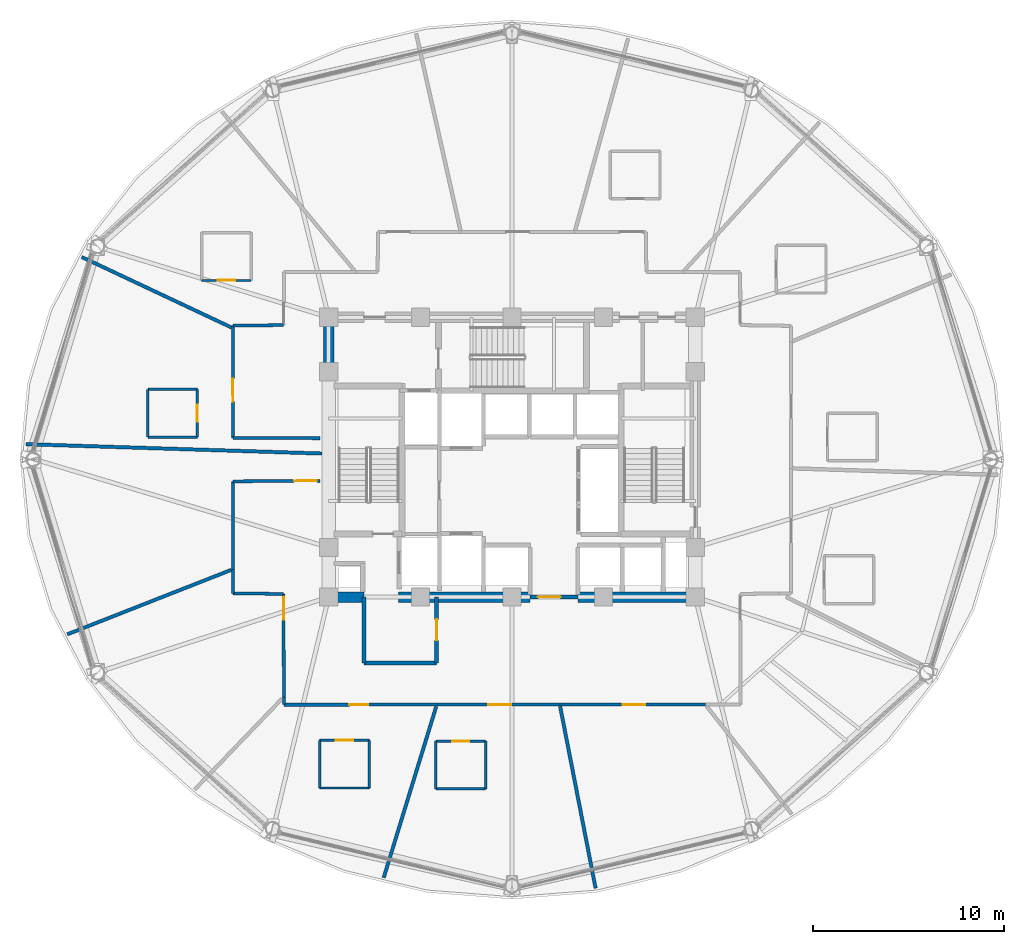
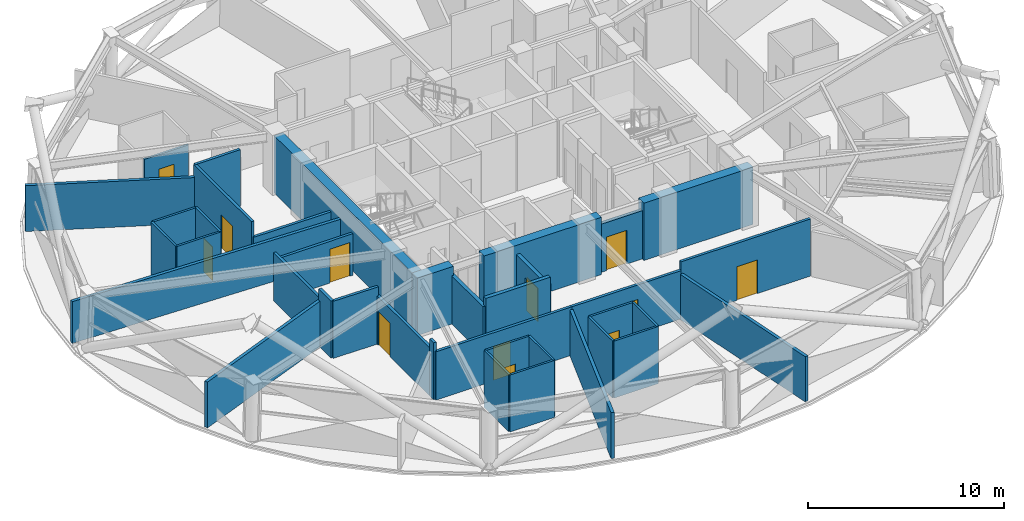
# One storey, part 8 of 15: 38 walls, 12 doors, 12 openings.
"""IFC4 building model written with IfcOpenShell, lengths in metres."""

from ifc_helpers import new_model, si_unit, direction, frame, frame_2d, origin, place, context, subcontext, project, spatial, rectangle, extrude, material, layer, layer_set, type_object, element, fill, save


model = new_model("IFC4")

# Units and contexts
model_context = context("Model", 3, precision=1e-05, world=origin(), true_north=direction((0.0, 1.0)))
body_context = subcontext(model_context, "Body", "Model", "MODEL_VIEW")
ifc_project = project(units=[si_unit("LENGTHUNIT", "METRE"), si_unit("AREAUNIT", "SQUARE_METRE"), si_unit("VOLUMEUNIT", "CUBIC_METRE"), si_unit("PLANEANGLEUNIT", "RADIAN"), si_unit("MASSUNIT", "GRAM", prefix="KILO")], contexts=[model_context])

# Site, building, storey
site_placement = place(None, origin())
site = spatial("IfcSite", under=ifc_project, at=site_placement, CompositionType="ELEMENT")
building_placement = place(site_placement, origin())
building = spatial("IfcBuilding", under=site, at=building_placement, Name="Vantalir Tower", CompositionType="ELEMENT")
storey_placement = place(building_placement, frame((0.0, 0.0, 134.699951171875)))
storey = spatial("IfcBuildingStorey", under=building, at=storey_placement, Name="L33", CompositionType="ELEMENT", Elevation=134.699951171875)

# Wall, opening, door
ifc_material_1 = material(Name="Moisture-resistant en-suite partition", Category="gypsum")
ifc_layer_1 = layer(ifc_material_1, 0.125)
ifc_layer_set_1 = layer_set([ifc_layer_1], Name="Moisture-resistant en-suite partition")
wall_type_1 = type_object("IfcWallType", Name="WL-BATH-125", PredefinedType="PARTITIONING", material=ifc_layer_set_1)
wall_1_placement = place(storey_placement, frame((15.242919921875, 34.37890625, 0.0), z_axis=(0.0, 0.0, 1.0), x_axis=(1.0, 0.0, 0.0)))
wall_1 = element("IfcWall", 1, at=wall_1_placement, inside=storey, type_object=wall_type_1, Name="L33 En-suite 05 South Wall", PredefinedType="PARTITIONING", context=body_context, shape_type="SweptSolid", body=[
    extrude(rectangle(XDim=2.60009765625, YDim=0.125, at=frame_2d((1.300048828125, 0.0))), origin(), (0.0, 0.0, 1.0), 3.006103515625),
])
opening_1_placement = place(wall_1_placement, frame((0.85009765625, 0.0, 0.0)))
opening_1 = element("IfcOpeningElement", 2, at=opening_1_placement, cuts=wall_1, Name="Opening D-WC", PredefinedType="OPENING", context=body_context, shape_type="SweptSolid", body=[
    extrude(rectangle(XDim=0.89990234375, YDim=2.10009765625, at=frame_2d((0.449951171875, 1.050048828125))), frame((0.0, 0.072509765625, 0.0), z_axis=(0.0, -1.0, 0.0), x_axis=(1.0, 0.0, 0.0)), (0.0, 0.0, 1.0), 0.14501953125),
])
ifc_material_2 = material(Name="Moisture-resistant hardwood door", Category="wood")
door_type_1 = type_object("IfcDoorType", Name="DR-ENSUITE-900", OperationType="NOTDEFINED", PredefinedType="DOOR", material=ifc_material_2)
door_1_placement = place(opening_1_placement, origin())
door_1 = element("IfcDoor", 3, at=door_1_placement, inside=storey, type_object=door_type_1, Name="L33 En-suite 05 Door", OperationType="SINGLE_SWING_LEFT", OverallHeight=2.10009765625, OverallWidth=0.89990234375, PredefinedType="DOOR", context=body_context, shape_type="SweptSolid", body=[
    extrude(rectangle(XDim=0.89990234375, YDim=2.10009765625, at=frame_2d((0.449951171875, 1.050048828125))), frame((0.0, 0.02490234375, 0.0), z_axis=(0.0, -1.0, 0.0), x_axis=(1.0, 0.0, 0.0)), (0.0, 0.0, 1.0), 0.050048828125),
])
fill(opening_1, door_1)

# Walls
for number, where, z_axis, x_axis, name in (
    (4, (12.425048828125, 26.177001953125, 0.0), (0.0, 0.0, 1.0), (1.0, 0.0, 0.0), "L33 En-suite 06 South Wall"),
    (5, (12.425048828125, 28.677001953125, 0.0), (0.0, 0.0, 1.0), (1.0, 0.0, 0.0), "L33 En-suite 06 North Wall"),
):
    element("IfcWall", number, at=place(storey_placement, frame(where, z_axis=z_axis, x_axis=x_axis)), inside=storey, type_object=wall_type_1, Name=name, PredefinedType="PARTITIONING", context=body_context, shape_type="SweptSolid", body=[
        extrude(rectangle(XDim=2.599853515625, YDim=0.125, at=frame_2d((1.2998046875, 0.0))), origin(), (0.0, 0.0, 1.0), 3.550048828125),
    ])
wall_2_placement = place(storey_placement, frame((12.425048828125, 26.177001953125, 0.0), z_axis=(0.0, 0.0, 1.0), x_axis=(0.0, 1.0, 0.0)))
element("IfcWall", 6, at=wall_2_placement, inside=storey, type_object=wall_type_1, Name="L33 En-suite 06 West Wall", PredefinedType="PARTITIONING", context=body_context, shape_type="SweptSolid", body=[
    extrude(rectangle(XDim=2.5, YDim=0.125, at=frame_2d((1.25, 0.0))), origin(), (0.0, 0.0, 1.0), 3.550048828125),
])

# Wall, opening, door
wall_3_placement = place(storey_placement, frame((15.02490234375, 26.177001953125, 0.0), z_axis=(0.0, 0.0, 1.0), x_axis=(0.0, 1.0, 0.0)))
wall_3 = element("IfcWall", 7, at=wall_3_placement, inside=storey, type_object=wall_type_1, Name="L33 En-suite 06 East Wall", PredefinedType="PARTITIONING", context=body_context, shape_type="SweptSolid", body=[
    extrude(rectangle(XDim=2.5, YDim=0.125, at=frame_2d((1.25, 0.0))), origin(), (0.0, 0.0, 1.0), 3.550048828125),
])
opening_2_placement = place(wall_3_placement, frame((0.800048828125, 0.0, 0.0)))
opening_2 = element("IfcOpeningElement", 8, at=opening_2_placement, cuts=wall_3, Name="Opening D-WC", PredefinedType="OPENING", context=body_context, shape_type="SweptSolid", body=[
    extrude(rectangle(XDim=0.89990234375, YDim=2.10009765625, at=frame_2d((0.449951171875, 1.050048828125))), frame((0.0, 0.072509765625, 0.0), z_axis=(0.0, -1.0, 0.0), x_axis=(1.0, 0.0, 0.0)), (0.0, 0.0, 1.0), 0.14501953125),
])
door_2_placement = place(opening_2_placement, origin())
door_2 = element("IfcDoor", 9, at=door_2_placement, inside=storey, type_object=door_type_1, Name="L33 En-suite 06 Door", OperationType="SINGLE_SWING_RIGHT", OverallHeight=2.10009765625, OverallWidth=0.89990234375, PredefinedType="DOOR", context=body_context, shape_type="SweptSolid", body=[
    extrude(rectangle(XDim=0.89990234375, YDim=2.10009765625, at=frame_2d((0.449951171875, 1.050048828125))), frame((0.0, 0.02490234375, 0.0), z_axis=(0.0, -1.0, 0.0), x_axis=(1.0, 0.0, 0.0)), (0.0, 0.0, 1.0), 0.050048828125),
])
fill(opening_2, door_2)

# Wall
wall_4_placement = place(storey_placement, frame((21.427001953125, 7.794921875, 0.0), z_axis=(0.0, 0.0, 1.0), x_axis=(1.0, 0.0, 0.0)))
element("IfcWall", 10, at=wall_4_placement, inside=storey, type_object=wall_type_1, Name="L33 En-suite 09 South Wall", PredefinedType="PARTITIONING", context=body_context, shape_type="SweptSolid", body=[
    extrude(rectangle(XDim=2.60009765625, YDim=0.125, at=frame_2d((1.300048828125, 0.0))), origin(), (0.0, 0.0, 1.0), 3.550048828125),
])

# Wall, opening, door
wall_5_placement = place(storey_placement, frame((21.427001953125, 10.294921875, 0.0), z_axis=(0.0, 0.0, 1.0), x_axis=(1.0, 0.0, 0.0)))
wall_5 = element("IfcWall", 11, at=wall_5_placement, inside=storey, type_object=wall_type_1, Name="L33 En-suite 09 North Wall", PredefinedType="PARTITIONING", context=body_context, shape_type="SweptSolid", body=[
    extrude(rectangle(XDim=2.60009765625, YDim=0.125, at=frame_2d((1.300048828125, 0.0))), origin(), (0.0, 0.0, 1.0), 3.550048828125),
])
opening_3_placement = place(wall_5_placement, frame((0.85009765625, 0.0, 0.0)))
opening_3 = element("IfcOpeningElement", 12, at=opening_3_placement, cuts=wall_5, Name="Opening D-WC", PredefinedType="OPENING", context=body_context, shape_type="SweptSolid", body=[
    extrude(rectangle(XDim=0.89990234375, YDim=2.10009765625, at=frame_2d((0.449951171875, 1.050048828125))), frame((0.0, 0.072509765625, 0.0), z_axis=(0.0, -1.0, 0.0), x_axis=(1.0, 0.0, 0.0)), (0.0, 0.0, 1.0), 0.14501953125),
])
door_3_placement = place(opening_3_placement, frame((0.89990234375, 0.0, 0.0), z_axis=(0.0, 0.0, 1.0), x_axis=(-1.0, 0.0, 0.0)))
door_3 = element("IfcDoor", 13, at=door_3_placement, inside=storey, type_object=door_type_1, Name="L33 En-suite 09 Door", OperationType="SINGLE_SWING_LEFT", OverallHeight=2.10009765625, OverallWidth=0.89990234375, PredefinedType="DOOR", context=body_context, shape_type="SweptSolid", body=[
    extrude(rectangle(XDim=0.89990234375, YDim=2.10009765625, at=frame_2d((0.449951171875, 1.050048828125))), frame((0.0, 0.02490234375, 0.0), z_axis=(0.0, -1.0, 0.0), x_axis=(1.0, 0.0, 0.0)), (0.0, 0.0, 1.0), 0.050048828125),
])
fill(opening_3, door_3)

# Walls
for number, where, z_axis, x_axis, name in (
    (14, (21.427001953125, 7.794921875, 0.0), (0.0, 0.0, 1.0), (0.0, 1.0, 0.0), "L33 En-suite 09 West Wall"),
    (15, (24.027099609375, 7.794921875, 0.0), (0.0, 0.0, 1.0), (0.0, 1.0, 0.0), "L33 En-suite 09 East Wall"),
):
    element("IfcWall", number, at=place(storey_placement, frame(where, z_axis=z_axis, x_axis=x_axis)), inside=storey, type_object=wall_type_1, Name=name, PredefinedType="PARTITIONING", context=body_context, shape_type="SweptSolid", body=[
        extrude(rectangle(XDim=2.5, YDim=0.125, at=frame_2d((1.25, 0.0))), origin(), (0.0, 0.0, 1.0), 3.550048828125),
    ])
wall_6_placement = place(storey_placement, frame((27.51611328125, 7.7509765625, 0.0), z_axis=(0.0, 0.0, 1.0), x_axis=(1.0, 0.0, 0.0)))
element("IfcWall", 16, at=wall_6_placement, inside=storey, type_object=wall_type_1, Name="L33 En-suite 10 South Wall", PredefinedType="PARTITIONING", context=body_context, shape_type="SweptSolid", body=[
    extrude(rectangle(XDim=2.599853515625, YDim=0.125, at=frame_2d((1.2998046875, 0.0))), origin(), (0.0, 0.0, 1.0), 3.550048828125),
])

# Wall, opening, door
wall_7_placement = place(storey_placement, frame((27.51611328125, 10.2509765625, 0.0), z_axis=(0.0, 0.0, 1.0), x_axis=(1.0, 0.0, 0.0)))
wall_7 = element("IfcWall", 17, at=wall_7_placement, inside=storey, type_object=wall_type_1, Name="L33 En-suite 10 North Wall", PredefinedType="PARTITIONING", context=body_context, shape_type="SweptSolid", body=[
    extrude(rectangle(XDim=2.599853515625, YDim=0.125, at=frame_2d((1.2998046875, 0.0))), origin(), (0.0, 0.0, 1.0), 3.550048828125),
])
opening_4_placement = place(wall_7_placement, frame((0.85009765625, 0.0, 0.0)))
opening_4 = element("IfcOpeningElement", 18, at=opening_4_placement, cuts=wall_7, Name="Opening D-WC", PredefinedType="OPENING", context=body_context, shape_type="SweptSolid", body=[
    extrude(rectangle(XDim=0.89990234375, YDim=2.10009765625, at=frame_2d((0.449951171875, 1.050048828125))), frame((0.0, 0.072509765625, 0.0), z_axis=(0.0, -1.0, 0.0), x_axis=(1.0, 0.0, 0.0)), (0.0, 0.0, 1.0), 0.14501953125),
])
door_4_placement = place(opening_4_placement, frame((0.89990234375, 0.0, 0.0), z_axis=(0.0, 0.0, 1.0), x_axis=(-1.0, 0.0, 0.0)))
door_4 = element("IfcDoor", 19, at=door_4_placement, inside=storey, type_object=door_type_1, Name="L33 En-suite 10 Door", OperationType="SINGLE_SWING_RIGHT", OverallHeight=2.10009765625, OverallWidth=0.89990234375, PredefinedType="DOOR", context=body_context, shape_type="SweptSolid", body=[
    extrude(rectangle(XDim=0.89990234375, YDim=2.10009765625, at=frame_2d((0.449951171875, 1.050048828125))), frame((0.0, 0.02490234375, 0.0), z_axis=(0.0, -1.0, 0.0), x_axis=(1.0, 0.0, 0.0)), (0.0, 0.0, 1.0), 0.050048828125),
])
fill(opening_4, door_4)

# Walls
for number, where, z_axis, x_axis, name in (
    (20, (27.51611328125, 7.7509765625, 0.0), (0.0, 0.0, 1.0), (0.0, 1.0, 0.0), "L33 En-suite 10 West Wall"),
    (21, (30.115966796875, 7.7509765625, 0.0), (0.0, 0.0, 1.0), (0.0, 1.0, 0.0), "L33 En-suite 10 East Wall"),
):
    element("IfcWall", number, at=place(storey_placement, frame(where, z_axis=z_axis, x_axis=x_axis)), inside=storey, type_object=wall_type_1, Name=name, PredefinedType="PARTITIONING", context=body_context, shape_type="SweptSolid", body=[
        extrude(rectangle(XDim=2.5, YDim=0.125, at=frame_2d((1.25, 0.0))), origin(), (0.0, 0.0, 1.0), 3.550048828125),
    ])
ifc_material_3 = material(Name="Concrete C60/75", Category="concrete")
ifc_layer_2 = layer(ifc_material_3, 0.550048828125)
ifc_layer_set_2 = layer_set([ifc_layer_2], Name="Concrete C60/75")
wall_type_2 = type_object("IfcWallType", Name="WL-CORE-550", PredefinedType="SHEAR", material=ifc_layer_set_2)
wall_8_placement = place(storey_placement, frame((21.625, 17.800048828125, 0.0), z_axis=(0.0, 0.0, 1.0), x_axis=(1.0, 0.0, 0.0)))
element("IfcWall", 22, at=wall_8_placement, inside=storey, type_object=wall_type_2, Name="L33 Core Shear Wall South-West", PredefinedType="SHEAR", context=body_context, shape_type="SweptSolid", body=[
    extrude(rectangle(XDim=2.125, YDim=0.550048828125, at=frame_2d((1.0625, 0.0))), origin(), (0.0, 0.0, 1.0), 3.570068359375),
])
wall_9_placement = place(storey_placement, frame((25.550048828125, 17.800048828125, 0.0), z_axis=(0.0, 0.0, 1.0), x_axis=(1.0, 0.0, 0.0)))
element("IfcWall", 23, at=wall_9_placement, inside=storey, type_object=wall_type_2, Name="L33 Core Shear Wall South-Mid", PredefinedType="SHEAR", context=body_context, shape_type="SweptSolid", body=[
    extrude(rectangle(XDim=6.89990234375, YDim=0.550048828125, at=frame_2d((3.449951171875, 0.0))), origin(), (0.0, 0.0, 1.0), 3.570068359375),
])
wall_10_placement = place(storey_placement, frame((34.949951171875, 17.800048828125, 0.0), z_axis=(0.0, 0.0, 1.0), x_axis=(1.0, 0.0, 0.0)))
element("IfcWall", 24, at=wall_10_placement, inside=storey, type_object=wall_type_2, Name="L33 Core Shear Wall South-East", PredefinedType="SHEAR", context=body_context, shape_type="SweptSolid", body=[
    extrude(rectangle(XDim=6.425048828125, YDim=0.550048828125, at=frame_2d((3.21240234375, 0.0))), origin(), (0.0, 0.0, 1.0), 3.570068359375),
])
wall_11_placement = place(storey_placement, frame((21.89990234375, 18.074951171875, 0.0), z_axis=(0.0, 0.0, 1.0), x_axis=(0.0, 1.0, 0.0)))
element("IfcWall", 25, at=wall_11_placement, inside=storey, type_object=wall_type_2, Name="L33 Core Shear Wall West", PredefinedType="SHEAR", context=body_context, shape_type="SweptSolid", body=[
    extrude(rectangle(XDim=14.10009765625, YDim=0.550048828125, at=frame_2d((7.050048828125, 0.0))), origin(), (0.0, 0.0, 1.0), 3.570068359375),
])
ifc_material_4 = material(Name="Fire-rated hotel corridor acoustic partition", Category="gypsum")
ifc_layer_3 = layer(ifc_material_4, 0.159912109375)
ifc_layer_set_3 = layer_set([ifc_layer_3], Name="Fire-rated hotel corridor acoustic partition")
wall_type_3 = type_object("IfcWallType", Name="WL-CORR-160", PredefinedType="PARTITIONING", material=ifc_layer_set_3)
wall_12_placement = place(storey_placement, frame((21.445068359375, 26.114990234375, 0.0), z_axis=(0.0, 0.0, 1.0), x_axis=(-0.999997586653, 0.002196972514, 0.0)))
element("IfcWall", 26, at=wall_12_placement, inside=storey, type_object=wall_type_3, Name="L33 Corridor Partition 01", PredefinedType="PARTITIONING", context=body_context, shape_type="SweptSolid", body=[
    extrude(rectangle(XDim=4.55615234375, YDim=0.159912109375, at=frame_2d((2.278076171875, 0.0))), origin(), (0.0, 0.0, 1.0), 2.594970703125),
])

# Wall, opening, door
wall_13_placement = place(storey_placement, frame((16.888916015625, 26.125, 0.0), z_axis=(0.0, 0.0, 1.0), x_axis=(-0.00116119857, 0.999999325809, 0.0)))
wall_13 = element("IfcWall", 27, at=wall_13_placement, inside=storey, type_object=wall_type_3, Name="L33 Corridor Partition 02", PredefinedType="PARTITIONING", context=body_context, shape_type="SweptSolid", body=[
    extrude(rectangle(XDim=5.886962890625, YDim=0.159912109375, at=frame_2d((2.943359375, 0.0))), origin(), (0.0, 0.0, 1.0), 3.550048828125),
])
opening_5_placement = place(wall_13_placement, frame((1.906982421875, 0.0, 0.0)))
opening_5 = element("IfcOpeningElement", 28, at=opening_5_placement, cuts=wall_13, Name="Opening D-STE", PredefinedType="OPENING", context=body_context, shape_type="SweptSolid", body=[
    extrude(rectangle(XDim=1.199951171875, YDim=2.10009765625, at=frame_2d((0.60009765625, 1.050048828125))), frame((0.0, 0.08984375, 0.0), z_axis=(0.0, -1.0, 0.0), x_axis=(1.0, 0.0, 0.0)), (0.0, 0.0, 1.0), 0.179931640625),
])
ifc_material_5 = material(Name="Solid-core teak veneer suite entrance door", Category="wood")
door_type_2 = type_object("IfcDoorType", Name="DR-SUITE-ENTRY-1200", OperationType="NOTDEFINED", PredefinedType="DOOR", material=ifc_material_5)
door_5_placement = place(opening_5_placement, origin())
door_5 = element("IfcDoor", 29, at=door_5_placement, inside=storey, type_object=door_type_2, Name="L33 Corner Panorama Hotel Suite 06 Door", OperationType="SINGLE_SWING_LEFT", OverallHeight=2.10009765625, OverallWidth=1.199951171875, PredefinedType="DOOR", context=body_context, shape_type="SweptSolid", body=[
    extrude(rectangle(XDim=1.199951171875, YDim=2.10009765625, at=frame_2d((0.60009765625, 1.050048828125))), frame((0.0, 0.02490234375, 0.0), z_axis=(0.0, -1.0, 0.0), x_axis=(1.0, 0.0, 0.0)), (0.0, 0.0, 1.0), 0.050048828125),
])
fill(opening_5, door_5)

# Wall
wall_14_placement = place(storey_placement, frame((16.882080078125, 32.011962890625, 0.0), z_axis=(0.0, 0.0, 1.0), x_axis=(0.999943999771, 0.010582878702, 0.0)))
element("IfcWall", 30, at=wall_14_placement, inside=storey, type_object=wall_type_3, Name="L33 Corridor Partition 03", PredefinedType="PARTITIONING", context=body_context, shape_type="SweptSolid", body=[
    extrude(rectangle(XDim=2.653076171875, YDim=0.159912109375, at=frame_2d((1.32666015625, 0.0))), origin(), (0.0, 0.0, 1.0), 3.550048828125),
])

# Wall, opening, door
wall_15_placement = place(storey_placement, frame((41.625, 12.1669921875, 0.0), z_axis=(0.0, 0.0, 1.0), x_axis=(-0.999999868642, -0.000512557595, 0.0)))
wall_15 = element("IfcWall", 31, at=wall_15_placement, inside=storey, type_object=wall_type_3, Name="L33 Corridor Partition 23", PredefinedType="PARTITIONING", context=body_context, shape_type="SweptSolid", body=[
    extrude(rectangle(XDim=7.62109375, YDim=0.159912109375, at=frame_2d((3.810546875, 0.0))), origin(), (0.0, 0.0, 1.0), 3.550048828125),
])
opening_6_placement = place(wall_15_placement, frame((3.135986328125, 0.0, 0.0)))
opening_6 = element("IfcOpeningElement", 32, at=opening_6_placement, cuts=wall_15, Name="Opening D-STE", PredefinedType="OPENING", context=body_context, shape_type="SweptSolid", body=[
    extrude(rectangle(XDim=1.199951171875, YDim=2.10009765625, at=frame_2d((0.60009765625, 1.050048828125))), frame((0.0, 0.08984375, 0.0), z_axis=(0.0, -1.0, 0.0), x_axis=(1.0, 0.0, 0.0)), (0.0, 0.0, 1.0), 0.179931640625),
])
door_6_placement = place(opening_6_placement, origin())
door_6 = element("IfcDoor", 33, at=door_6_placement, inside=storey, type_object=door_type_2, Name="L33 Club Reading Lounge 11 Door", OperationType="SINGLE_SWING_RIGHT", OverallHeight=2.10009765625, OverallWidth=1.199951171875, PredefinedType="DOOR", context=body_context, shape_type="SweptSolid", body=[
    extrude(rectangle(XDim=1.199951171875, YDim=2.10009765625, at=frame_2d((0.60009765625, 1.050048828125))), frame((0.0, 0.02490234375, 0.0), z_axis=(0.0, -1.0, 0.0), x_axis=(1.0, 0.0, 0.0)), (0.0, 0.0, 1.0), 0.050048828125),
])
fill(opening_6, door_6)

wall_16_placement = place(storey_placement, frame((34.00390625, 12.1630859375, 0.0), z_axis=(0.0, 0.0, 1.0), x_axis=(-0.999999878667, -0.000492610778, 0.0)))
wall_16 = element("IfcWall", 34, at=wall_16_placement, inside=storey, type_object=wall_type_3, Name="L33 Corridor Partition 24", PredefinedType="PARTITIONING", context=body_context, shape_type="SweptSolid", body=[
    extrude(rectangle(XDim=6.44287109375, YDim=0.159912109375, at=frame_2d((3.221435546875, 0.0))), origin(), (0.0, 0.0, 1.0), 3.006103515625),
])
opening_7_placement = place(wall_16_placement, frame((2.547119140625, 0.0, 0.0)))
opening_7 = element("IfcOpeningElement", 35, at=opening_7_placement, cuts=wall_16, Name="Opening D-STE", PredefinedType="OPENING", context=body_context, shape_type="SweptSolid", body=[
    extrude(rectangle(XDim=1.199951171875, YDim=2.10009765625, at=frame_2d((0.60009765625, 1.050048828125))), frame((0.0, 0.08984375, 0.0), z_axis=(0.0, -1.0, 0.0), x_axis=(1.0, 0.0, 0.0)), (0.0, 0.0, 1.0), 0.179931640625),
])
door_7_placement = place(opening_7_placement, origin())
door_7 = element("IfcDoor", 36, at=door_7_placement, inside=storey, type_object=door_type_2, Name="L33 Corner Panorama Hotel Suite 10 Door", OperationType="SINGLE_SWING_LEFT", OverallHeight=2.10009765625, OverallWidth=1.199951171875, PredefinedType="DOOR", context=body_context, shape_type="SweptSolid", body=[
    extrude(rectangle(XDim=1.199951171875, YDim=2.10009765625, at=frame_2d((0.60009765625, 1.050048828125))), frame((0.0, 0.02490234375, 0.0), z_axis=(0.0, -1.0, 0.0), x_axis=(1.0, 0.0, 0.0)), (0.0, 0.0, 1.0), 0.050048828125),
])
fill(opening_7, door_7)

wall_17_placement = place(storey_placement, frame((27.56103515625, 12.159912109375, 0.0), z_axis=(0.0, 0.0, 1.0), x_axis=(-0.99999993308, -0.00036584248, 0.0)))
wall_17 = element("IfcWall", 37, at=wall_17_placement, inside=storey, type_object=wall_type_3, Name="L33 Corridor Partition 25", PredefinedType="PARTITIONING", context=body_context, shape_type="SweptSolid", body=[
    extrude(rectangle(XDim=8.008056640625, YDim=0.159912109375, at=frame_2d((4.00390625, 0.0))), origin(), (0.0, 0.0, 1.0), 3.006103515625),
])
opening_8_placement = place(wall_17_placement, frame((3.577880859375, 0.0, 0.0)))
opening_8 = element("IfcOpeningElement", 38, at=opening_8_placement, cuts=wall_17, Name="Opening D-GUEST", PredefinedType="OPENING", context=body_context, shape_type="SweptSolid", body=[
    extrude(rectangle(XDim=1.0, YDim=2.10009765625, at=frame_2d((0.5, 1.050048828125))), frame((0.0, 0.08984375, 0.0), z_axis=(0.0, -1.0, 0.0), x_axis=(1.0, 0.0, 0.0)), (0.0, 0.0, 1.0), 0.179931640625),
])
ifc_material_6 = material(Name="Solid-core teak veneer acoustic fire door", Category="wood")
door_type_3 = type_object("IfcDoorType", Name="DR-GUEST-ENTRY-1000", OperationType="NOTDEFINED", PredefinedType="DOOR", material=ifc_material_6)
door_8_placement = place(opening_8_placement, origin())
door_8 = element("IfcDoor", 39, at=door_8_placement, inside=storey, type_object=door_type_3, Name="L33 Twin Queen Hotel Room 09 Door", OperationType="SINGLE_SWING_RIGHT", OverallHeight=2.10009765625, OverallWidth=1.0, PredefinedType="DOOR", context=body_context, shape_type="SweptSolid", body=[
    extrude(rectangle(XDim=1.0, YDim=2.10009765625, at=frame_2d((0.5, 1.050048828125))), frame((0.0, 0.02490234375, 0.0), z_axis=(0.0, -1.0, 0.0), x_axis=(1.0, 0.0, 0.0)), (0.0, 0.0, 1.0), 0.050048828125),
])
fill(opening_8, door_8)

# Wall
wall_18_placement = place(storey_placement, frame((19.552978515625, 12.156982421875, 0.0), z_axis=(0.0, 0.0, 1.0), x_axis=(-0.002347411373, 0.999997244826, 0.0)))
element("IfcWall", 40, at=wall_18_placement, inside=storey, type_object=wall_type_3, Name="L33 Corridor Partition 26", PredefinedType="PARTITIONING", context=body_context, shape_type="SweptSolid", body=[
    extrude(rectangle(XDim=0.416015625, YDim=0.159912109375, at=frame_2d((0.2080078125, 0.0))), origin(), (0.0, 0.0, 1.0), 3.550048828125),
])

# Wall, opening, door
wall_19_placement = place(storey_placement, frame((19.552001953125, 12.572998046875, 0.0), z_axis=(0.0, 0.0, 1.0), x_axis=(-0.003172429084, 0.999994967834, 0.0)))
wall_19 = element("IfcWall", 41, at=wall_19_placement, inside=storey, type_object=wall_type_3, Name="L33 Corridor Partition 27", PredefinedType="PARTITIONING", context=body_context, shape_type="SweptSolid", body=[
    extrude(rectangle(XDim=5.386962890625, YDim=0.159912109375, at=frame_2d((2.693359375, 0.0))), origin(), (0.0, 0.0, 1.0), 3.006103515625),
])
opening_9_placement = place(wall_19_placement, frame((4.027099609375, 0.0, 0.0)))
opening_9 = element("IfcOpeningElement", 42, at=opening_9_placement, cuts=wall_19, Name="Opening D-STE", PredefinedType="OPENING", context=body_context, shape_type="SweptSolid", body=[
    extrude(rectangle(XDim=1.199951171875, YDim=2.10009765625, at=frame_2d((0.60009765625, 1.050048828125))), frame((0.0, 0.08984375, 0.0), z_axis=(0.0, -1.0, 0.0), x_axis=(1.0, 0.0, 0.0)), (0.0, 0.0, 1.0), 0.179931640625),
])
door_9_placement = place(opening_9_placement, origin())
door_9 = element("IfcDoor", 43, at=door_9_placement, inside=storey, type_object=door_type_2, Name="L33 Executive Sky Boardroom 08 Door", OperationType="SINGLE_SWING_LEFT", OverallHeight=2.10009765625, OverallWidth=1.199951171875, PredefinedType="DOOR", context=body_context, shape_type="SweptSolid", body=[
    extrude(rectangle(XDim=1.199951171875, YDim=2.10009765625, at=frame_2d((0.60009765625, 1.050048828125))), frame((0.0, 0.02490234375, 0.0), z_axis=(0.0, -1.0, 0.0), x_axis=(1.0, 0.0, 0.0)), (0.0, 0.0, 1.0), 0.050048828125),
])
fill(opening_9, door_9)

# Walls
wall_20_placement = place(storey_placement, frame((19.534912109375, 17.9599609375, 0.0), z_axis=(0.0, 0.0, 1.0), x_axis=(-0.999927388367, 0.012050642859, 0.0)))
element("IfcWall", 44, at=wall_20_placement, inside=storey, type_object=wall_type_3, Name="L33 Corridor Partition 28", PredefinedType="PARTITIONING", context=body_context, shape_type="SweptSolid", body=[
    extrude(rectangle(XDim=2.654052734375, YDim=0.159912109375, at=frame_2d((1.3271484375, 0.0))), origin(), (0.0, 0.0, 1.0), 3.550048828125),
])
wall_21_placement = place(storey_placement, frame((16.881103515625, 17.991943359375, 0.0), z_axis=(0.0, 0.0, 1.0), x_axis=(0.0, 1.0, 0.0)))
element("IfcWall", 45, at=wall_21_placement, inside=storey, type_object=wall_type_3, Name="L33 Corridor Partition 29", PredefinedType="PARTITIONING", context=body_context, shape_type="SweptSolid", body=[
    extrude(rectangle(XDim=1.260986328125, YDim=0.159912109375, at=frame_2d((0.63037109375, 0.0))), origin(), (0.0, 0.0, 1.0), 3.550048828125),
])
wall_22_placement = place(storey_placement, frame((16.881103515625, 19.2529296875, 0.0), z_axis=(0.0, 0.0, 1.0), x_axis=(0.0, 1.0, 0.0)))
element("IfcWall", 46, at=wall_22_placement, inside=storey, type_object=wall_type_3, Name="L33 Corridor Partition 30", PredefinedType="PARTITIONING", context=body_context, shape_type="SweptSolid", body=[
    extrude(rectangle(XDim=4.60498046875, YDim=0.159912109375, at=frame_2d((2.302490234375, 0.0))), origin(), (0.0, 0.0, 1.0), 3.006103515625),
])

# Wall, opening, door
wall_23_placement = place(storey_placement, frame((16.881103515625, 23.85791015625, 0.0), z_axis=(0.0, 0.0, 1.0), x_axis=(0.999983619679, 0.005723667878, 0.0)))
wall_23 = element("IfcWall", 47, at=wall_23_placement, inside=storey, type_object=wall_type_3, Name="L33 Corridor Partition 31", PredefinedType="PARTITIONING", context=body_context, shape_type="SweptSolid", body=[
    extrude(rectangle(XDim=4.56396484375, YDim=0.159912109375, at=frame_2d((2.281982421875, 0.0))), origin(), (0.0, 0.0, 1.0), 2.594970703125),
])
opening_10_placement = place(wall_23_placement, frame((3.2041015625, 0.0, 0.0)))
opening_10 = element("IfcOpeningElement", 48, at=opening_10_placement, cuts=wall_23, Name="Opening D-STE", PredefinedType="OPENING", context=body_context, shape_type="SweptSolid", body=[
    extrude(rectangle(XDim=1.199951171875, YDim=2.10009765625, at=frame_2d((0.60009765625, 1.050048828125))), frame((0.0, 0.08984375, 0.0), z_axis=(0.0, -1.0, 0.0), x_axis=(1.0, 0.0, 0.0)), (0.0, 0.0, 1.0), 0.179931640625),
])
door_10_placement = place(opening_10_placement, origin())
door_10 = element("IfcDoor", 49, at=door_10_placement, inside=storey, type_object=door_type_2, Name="L33 Executive Sky Boardroom 07 Door", OperationType="SINGLE_SWING_RIGHT", OverallHeight=2.10009765625, OverallWidth=1.199951171875, PredefinedType="DOOR", context=body_context, shape_type="SweptSolid", body=[
    extrude(rectangle(XDim=1.199951171875, YDim=2.10009765625, at=frame_2d((0.60009765625, 1.050048828125))), frame((0.0, 0.02490234375, 0.0), z_axis=(0.0, -1.0, 0.0), x_axis=(1.0, 0.0, 0.0)), (0.0, 0.0, 1.0), 0.050048828125),
])
fill(opening_10, door_10)

ifc_material_7 = material(Name="Concrete blockwork with fireboard lining", Category="masonry")
ifc_layer_4 = layer(ifc_material_7, 0.219970703125)
ifc_layer_set_4 = layer_set([ifc_layer_4], Name="Concrete blockwork with fireboard lining")
wall_type_4 = type_object("IfcWallType", Name="WL-FFL-220", PredefinedType="PARTITIONING", material=ifc_layer_set_4)
wall_24_placement = place(storey_placement, frame((32.449951171875, 17.800048828125, 0.0), z_axis=(0.0, 0.0, 1.0), x_axis=(1.0, 0.0, 0.0)))
wall_24 = element("IfcWall", 50, at=wall_24_placement, inside=storey, type_object=wall_type_4, Name="L33 Passenger Lift Lobby South Wall", PredefinedType="PARTITIONING", context=body_context, shape_type="SweptSolid", body=[
    extrude(rectangle(XDim=2.5, YDim=0.219970703125, at=frame_2d((1.25, 0.0))), origin(), (0.0, 0.0, 1.0), 3.006103515625),
])
opening_11_placement = place(wall_24_placement, frame((0.39990234375, 0.0, 0.0)))
opening_11 = element("IfcOpeningElement", 51, at=opening_11_placement, cuts=wall_24, Name="Opening D-STE", PredefinedType="OPENING", context=body_context, shape_type="SweptSolid", body=[
    extrude(rectangle(XDim=1.199951171875, YDim=2.10009765625, at=frame_2d((0.60009765625, 1.050048828125))), frame((0.0, 0.119873046875, 0.0), z_axis=(0.0, -1.0, 0.0), x_axis=(1.0, 0.0, 0.0)), (0.0, 0.0, 1.0), 0.239990234375),
])
door_11_placement = place(opening_11_placement, origin())
door_11 = element("IfcDoor", 52, at=door_11_placement, inside=storey, type_object=door_type_2, Name="L33 Passenger Lift Lobby Concourse Door", OperationType="SINGLE_SWING_RIGHT", OverallHeight=2.10009765625, OverallWidth=1.199951171875, PredefinedType="DOOR", context=body_context, shape_type="SweptSolid", body=[
    extrude(rectangle(XDim=1.199951171875, YDim=2.10009765625, at=frame_2d((0.60009765625, 1.050048828125))), frame((0.0, 0.02490234375, 0.0), z_axis=(0.0, -1.0, 0.0), x_axis=(1.0, 0.0, 0.0)), (0.0, 0.0, 1.0), 0.050048828125),
])
fill(opening_11, door_11)

# Walls
wall_25_placement = place(storey_placement, frame((23.75, 14.35009765625, 0.0), z_axis=(0.0, 0.0, 1.0), x_axis=(0.0, 1.0, 0.0)))
element("IfcWall", 53, at=wall_25_placement, inside=storey, type_object=wall_type_4, Name="L33 Firefighting Lobby West Outer W", PredefinedType="PARTITIONING", context=body_context, shape_type="SweptSolid", body=[
    extrude(rectangle(XDim=3.449951171875, YDim=0.219970703125, at=frame_2d((1.72509765625, 0.0))), origin(), (0.0, 0.0, 1.0), 3.006103515625),
])
wall_26_placement = place(storey_placement, frame((23.75, 14.35009765625, 0.0), z_axis=(0.0, 0.0, 1.0), x_axis=(1.0, 0.0, 0.0)))
element("IfcWall", 54, at=wall_26_placement, inside=storey, type_object=wall_type_4, Name="L33 Firefighting Lobby West South Wall", PredefinedType="PARTITIONING", context=body_context, shape_type="SweptSolid", body=[
    extrude(rectangle(XDim=3.800048828125, YDim=0.219970703125, at=frame_2d((1.89990234375, 0.0))), origin(), (0.0, 0.0, 1.0), 3.550048828125),
])

# Wall, opening, door
wall_27_placement = place(storey_placement, frame((27.550048828125, 14.35009765625, 0.0), z_axis=(0.0, 0.0, 1.0), x_axis=(0.0, 1.0, 0.0)))
wall_27 = element("IfcWall", 55, at=wall_27_placement, inside=storey, type_object=wall_type_4, Name="L33 Firefighting Lobby West East Wall", PredefinedType="PARTITIONING", context=body_context, shape_type="SweptSolid", body=[
    extrude(rectangle(XDim=3.449951171875, YDim=0.219970703125, at=frame_2d((1.72509765625, 0.0))), origin(), (0.0, 0.0, 1.0), 3.006103515625),
])
opening_12_placement = place(wall_27_placement, frame((1.175048828125, 0.0, 0.0)))
opening_12 = element("IfcOpeningElement", 56, at=opening_12_placement, cuts=wall_27, Name="Opening D-FFL", PredefinedType="OPENING", context=body_context, shape_type="SweptSolid", body=[
    extrude(rectangle(XDim=1.10009765625, YDim=2.10009765625, at=frame_2d((0.550048828125, 1.050048828125))), frame((0.0, 0.119873046875, 0.0), z_axis=(0.0, -1.0, 0.0), x_axis=(1.0, 0.0, 0.0)), (0.0, 0.0, 1.0), 0.239990234375),
])
ifc_material_8 = material(Name="Fire-rated acoustic steel door", Category="steel")
door_type_4 = type_object("IfcDoorType", Name="DR-FIRE-LOBBY-1100", OperationType="NOTDEFINED", PredefinedType="DOOR", material=ifc_material_8)
door_12_placement = place(opening_12_placement, origin())
door_12 = element("IfcDoor", 57, at=door_12_placement, inside=storey, type_object=door_type_4, Name="L33 Firefighting Lobby West Access Door", OperationType="SINGLE_SWING_RIGHT", OverallHeight=2.10009765625, OverallWidth=1.10009765625, PredefinedType="DOOR", context=body_context, shape_type="SweptSolid", body=[
    extrude(rectangle(XDim=1.10009765625, YDim=2.10009765625, at=frame_2d((0.550048828125, 1.050048828125))), frame((0.0, 0.02490234375, 0.0), z_axis=(0.0, -1.0, 0.0), x_axis=(1.0, 0.0, 0.0)), (0.0, 0.0, 1.0), 0.050048828125),
])
fill(opening_12, door_12)

# Walls
ifc_material_9 = material(Name="Twin-stud acoustic fire-rated gypsum partition", Category="gypsum")
ifc_layer_5 = layer(ifc_material_9, 0.179931640625)
ifc_layer_set_5 = layer_set([ifc_layer_5], Name="Twin-stud acoustic fire-rated gypsum partition")
wall_type_5 = type_object("IfcWallType", Name="WL-GUEST-180", PredefinedType="PARTITIONING", material=ifc_layer_set_5)
wall_28_placement = place(storey_placement, frame((16.804931640625, 31.916015625, 0.0), z_axis=(0.0, 0.0, 1.0), x_axis=(-0.904814870275, 0.425805179078, 0.0)))
element("IfcWall", 58, at=wall_28_placement, inside=storey, type_object=wall_type_5, Name="L33 Radial Suite Partition 06", PredefinedType="PARTITIONING", context=body_context, shape_type="SweptSolid", body=[
    extrude(rectangle(XDim=8.66357421875, YDim=0.179931640625, at=frame_2d((4.331787109375, 0.0))), origin(), (0.0, 0.0, 1.0), 2.85205078125),
])
wall_29_placement = place(storey_placement, frame((21.550048828125, 25.31396484375, 0.0), z_axis=(0.0, 0.0, 1.0), x_axis=(-0.999501616621, 0.031567679233, 0.0)))
element("IfcWall", 59, at=wall_29_placement, inside=storey, type_object=wall_type_5, Name="L33 Radial Suite Partition 07", PredefinedType="PARTITIONING", context=body_context, shape_type="SweptSolid", body=[
    extrude(rectangle(XDim=15.52197265625, YDim=0.179931640625, at=frame_2d((7.760986328125, 0.0))), origin(), (0.0, 0.0, 1.0), 2.594970703125),
])
wall_30_placement = place(storey_placement, frame((16.804931640625, 19.222900390625, 0.0), z_axis=(0.0, 0.0, 1.0), x_axis=(-0.930694620262, -0.365797107444, 0.0)))
element("IfcWall", 60, at=wall_30_placement, inside=storey, type_object=wall_type_5, Name="L33 Radial Suite Partition 08", PredefinedType="PARTITIONING", context=body_context, shape_type="SweptSolid", body=[
    extrude(rectangle(XDim=9.237060546875, YDim=0.179931640625, at=frame_2d((4.61865234375, 0.0))), origin(), (0.0, 0.0, 1.0), 2.85205078125),
])
wall_31_placement = place(storey_placement, frame((27.534912109375, 12.074951171875, 0.0), z_axis=(0.0, 0.0, 1.0), x_axis=(-0.293281847857, -0.956026023557, 0.0)))
element("IfcWall", 61, at=wall_31_placement, inside=storey, type_object=wall_type_5, Name="L33 Radial Suite Partition 10", PredefinedType="PARTITIONING", context=body_context, shape_type="SweptSolid", body=[
    extrude(rectangle(XDim=9.389892578125, YDim=0.179931640625, at=frame_2d((4.69482421875, 0.0))), origin(), (0.0, 0.0, 1.0), 2.85205078125),
])
wall_32_placement = place(storey_placement, frame((34.02099609375, 12.074951171875, 0.0), z_axis=(0.0, 0.0, 1.0), x_axis=(0.191412255619, -0.981509729141, 0.0)))
element("IfcWall", 62, at=wall_32_placement, inside=storey, type_object=wall_type_5, Name="L33 Radial Suite Partition 11", PredefinedType="PARTITIONING", context=body_context, shape_type="SweptSolid", body=[
    extrude(rectangle(XDim=9.706298828125, YDim=0.179931640625, at=frame_2d((4.85302734375, 0.0))), origin(), (0.0, 0.0, 1.0), 2.81201171875),
])

save(model, "model.ifc")
